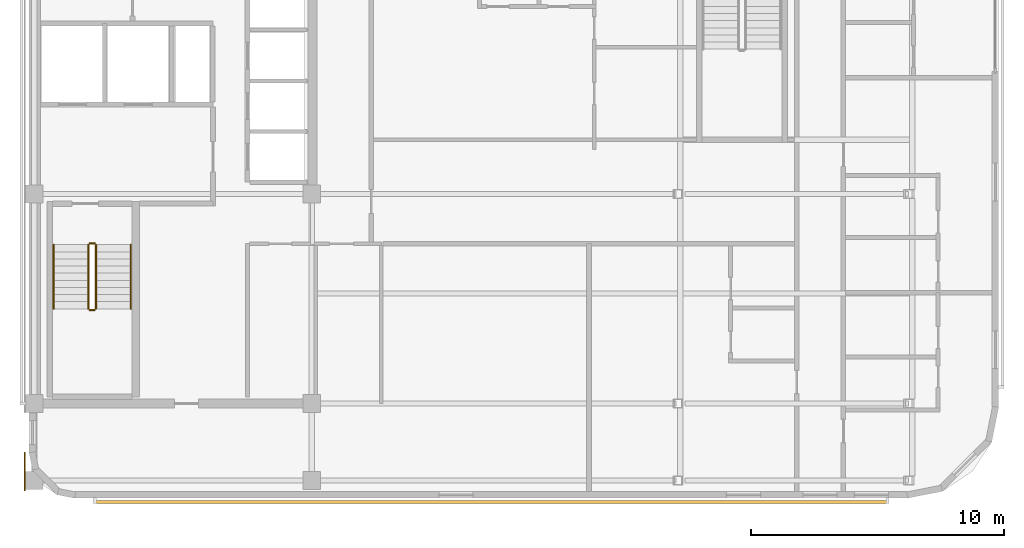
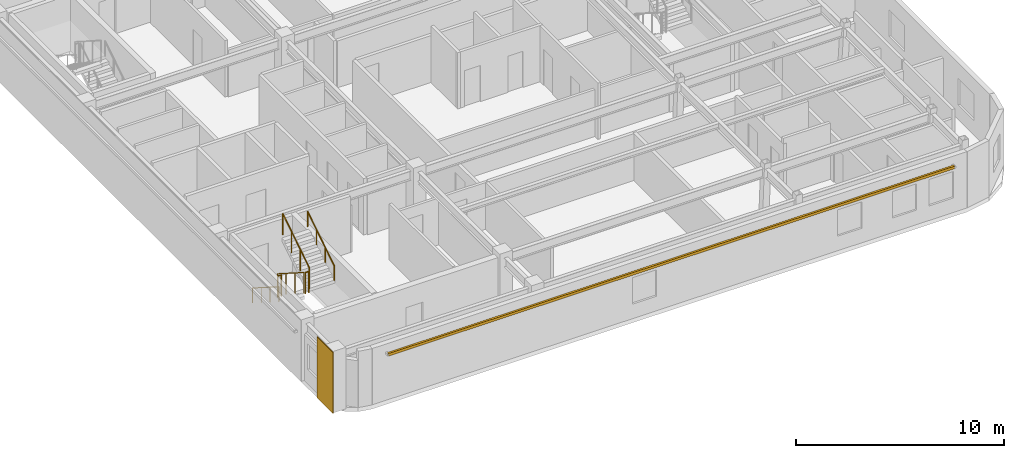
# One storey, part 8 of 11: 6 railings, 1 covering, 1 shading device.
"""IFC4 building model written with IfcOpenShell, lengths in metres."""

from ifc_helpers import new_model, si_unit, direction, frame, origin, origin_2d, place, context, subcontext, project, spatial, rectangle, circle, extrude, material, layer, layer_set, material_profile, profile_set, type_object, element, save


model = new_model("IFC4")

# Units and contexts
model_context = context("Model", 3, precision=1e-05, world=origin(), true_north=direction((0.0, 1.0)))
body_context = subcontext(model_context, "Body", "Model", "MODEL_VIEW")
ifc_project = project(units=[si_unit("LENGTHUNIT", "METRE"), si_unit("AREAUNIT", "SQUARE_METRE"), si_unit("VOLUMEUNIT", "CUBIC_METRE"), si_unit("PLANEANGLEUNIT", "RADIAN"), si_unit("MASSUNIT", "GRAM", prefix="KILO")], contexts=[model_context])

# Site, building, storey
site_placement = place(None, origin())
site = spatial("IfcSite", under=ifc_project, at=site_placement, CompositionType="ELEMENT")
building_placement = place(site_placement, origin())
building = spatial("IfcBuilding", under=site, at=building_placement, Name="Ochreholt Gables", CompositionType="ELEMENT")
storey_placement = place(building_placement, frame((0.0, 0.0, 278.39990234375)))
storey = spatial("IfcBuildingStorey", under=building, at=storey_placement, Name="L73", CompositionType="ELEMENT", Elevation=278.39990234375)

# Covering
ifc_material_1 = material(Name="Glazed Ochre Terracotta Rainscreen Cladding", Category="masonry")
ifc_layer = layer(ifc_material_1, 0.044921875, Name="Glazed Ochre Terracotta Rainscreen Cladding")
ifc_layer_set = layer_set([ifc_layer], Name="Glazed Ochre Terracotta Rainscreen Cladding")
covering_type = type_object("IfcCoveringType", Name="COV-CLAD-TC", PredefinedType="CLADDING", material=ifc_layer_set)
covering_placement = place(storey_placement, frame((23.827880859375, 6.56005859375, 0.010009765625), z_axis=(0.0, 0.0, 1.0), x_axis=(0.0, 1.0, 0.0)))
element("IfcCovering", 1, at=covering_placement, inside=storey, type_object=covering_type, Name="L73 South-West Pier Terracotta Cladding", PredefinedType="CLADDING", context=body_context, shape_type="SweptSolid", body=[
    extrude(rectangle(XDim=1.52001953125, YDim=0.044921875, at=origin_2d()), origin(), (0.0, 0.0, 1.0), 3.580078125),
])

# Railings
ifc_material_2 = material(Name="Painted Steel Stair Guardrail", Category="steel")
railing_type_1 = type_object("IfcRailingType", Name="RL-ST-GUARD", PredefinedType="GUARDRAIL", material=ifc_material_2)
railing_1_placement = place(storey_placement, frame((26.35009765625, 15.5400390625, 0.18017578125)))
element("IfcRailing", 2, at=railing_1_placement, inside=storey, type_object=railing_type_1, Name="L73 ST-1 stair guard 1", PredefinedType="GUARDRAIL", context=body_context, shape_type="SweptSolid", body=[
    extrude(circle(Radius=0.02392578125, at=origin_2d()), frame((0.0, 0.0, 1.22607421875), z_axis=(0.0, -0.842949592929, 0.537992549931), x_axis=(1.0, 0.0, 0.0)), (0.0, 0.0, 1.0), 3.010986328125),
    extrude(circle(Radius=0.02099609375, at=origin_2d()), origin(), (0.0, 0.0, 1.0), 1.201904296875),
    extrude(circle(Radius=0.02099609375, at=origin_2d()), frame((0.0, -0.845947265625, 0.5400390625)), (0.0, 0.0, 1.0), 1.201904296875),
    extrude(circle(Radius=0.02099609375, at=origin_2d()), frame((0.0, -1.692138671875, 1.079833984375)), (0.0, 0.0, 1.0), 1.201904296875),
    extrude(circle(Radius=0.02099609375, at=origin_2d()), frame((0.0, -2.5380859375, 1.619873046875)), (0.0, 0.0, 1.0), 1.201904296875),
])
railing_2_placement = place(storey_placement, frame((26.39990234375, 12.951904296875, 1.800048828125)))
element("IfcRailing", 3, at=railing_2_placement, inside=storey, type_object=railing_type_1, Name="L73 ST-1 stair guard 2", PredefinedType="GUARDRAIL", context=body_context, shape_type="SweptSolid", body=[
    extrude(circle(Radius=0.02392578125, at=origin_2d()), frame((0.0, 0.0, 1.22607421875), z_axis=(1.0, 0.0, 0.0), x_axis=(0.0, 1.0, 0.0)), (0.0, 0.0, 1.0), 0.2001953125),
    extrude(circle(Radius=0.02099609375, at=origin_2d()), origin(), (0.0, 0.0, 1.0), 1.201904296875),
    extrude(circle(Radius=0.02099609375, at=origin_2d()), frame((0.2001953125, 0.0, 0.0)), (0.0, 0.0, 1.0), 1.201904296875),
])
railing_3_placement = place(storey_placement, frame((26.64990234375, 13.001953125, 1.97998046875)))
element("IfcRailing", 4, at=railing_3_placement, inside=storey, type_object=railing_type_1, Name="L73 ST-1 stair guard 3", PredefinedType="GUARDRAIL", context=body_context, shape_type="SweptSolid", body=[
    extrude(circle(Radius=0.02392578125, at=origin_2d()), frame((0.0, 0.0, 1.22607421875), z_axis=(0.0, 0.842912820907, 0.538050161556), x_axis=(-1.0, 0.0, 0.0)), (0.0, 0.0, 1.0), 3.010986328125),
    extrude(circle(Radius=0.02099609375, at=origin_2d()), origin(), (0.0, 0.0, 1.0), 1.201904296875),
    extrude(circle(Radius=0.02099609375, at=origin_2d()), frame((0.0, 0.845947265625, 0.5400390625)), (0.0, 0.0, 1.0), 1.201904296875),
    extrude(circle(Radius=0.02099609375, at=origin_2d()), frame((0.0, 1.692138671875, 1.080078125)), (0.0, 0.0, 1.0), 1.201904296875),
    extrude(circle(Radius=0.02099609375, at=origin_2d()), frame((0.0, 2.5380859375, 1.6201171875)), (0.0, 0.0, 1.0), 1.201904296875),
])
railing_4_placement = place(storey_placement, frame((26.39990234375, 15.590087890625, 0.0)))
element("IfcRailing", 5, at=railing_4_placement, inside=storey, type_object=railing_type_1, Name="L73 ST-1 stair guard 4", PredefinedType="GUARDRAIL", context=body_context, shape_type="SweptSolid", body=[
    extrude(circle(Radius=0.02392578125, at=origin_2d()), frame((0.0, 0.0, 1.22607421875), z_axis=(1.0, 0.0, 0.0), x_axis=(0.0, 1.0, 0.0)), (0.0, 0.0, 1.0), 0.2001953125),
    extrude(circle(Radius=0.02099609375, at=origin_2d()), origin(), (0.0, 0.0, 1.0), 1.201904296875),
    extrude(circle(Radius=0.02099609375, at=origin_2d()), frame((0.2001953125, 0.0, 0.0)), (0.0, 0.0, 1.0), 1.201904296875),
])
ifc_material_3 = material(Name="Brushed Stainless Steel Wall Handrail", Category="steel")
railing_type_2 = type_object("IfcRailingType", Name="RL-ST-HAND", PredefinedType="HANDRAIL", material=ifc_material_3)
railing_5_placement = place(storey_placement, frame((24.969970703125, 15.5400390625, 0.18017578125)))
element("IfcRailing", 6, at=railing_5_placement, inside=storey, type_object=railing_type_2, Name="L73 ST-1 stair handrail 1", PredefinedType="HANDRAIL", context=body_context, shape_type="SweptSolid", body=[
    extrude(circle(Radius=0.02392578125, at=origin_2d()), frame((0.0, 0.0, 0.8759765625), z_axis=(0.0, -0.842949592929, 0.537992549931), x_axis=(1.0, 0.0, 0.0)), (0.0, 0.0, 1.0), 3.010986328125),
    extrude(circle(Radius=0.02099609375, at=origin_2d()), origin(), (0.0, 0.0, 1.0), 0.851806640625),
    extrude(circle(Radius=0.02099609375, at=origin_2d()), frame((0.0, -0.845947265625, 0.5400390625)), (0.0, 0.0, 1.0), 0.851806640625),
    extrude(circle(Radius=0.02099609375, at=origin_2d()), frame((0.0, -1.692138671875, 1.079833984375)), (0.0, 0.0, 1.0), 0.851806640625),
    extrude(circle(Radius=0.02099609375, at=origin_2d()), frame((0.0, -2.5380859375, 1.619873046875)), (0.0, 0.0, 1.0), 0.851806640625),
])
railing_6_placement = place(storey_placement, frame((28.030029296875, 13.001953125, 1.97998046875)))
element("IfcRailing", 7, at=railing_6_placement, inside=storey, type_object=railing_type_2, Name="L73 ST-1 stair handrail 2", PredefinedType="HANDRAIL", context=body_context, shape_type="SweptSolid", body=[
    extrude(circle(Radius=0.02392578125, at=origin_2d()), frame((0.0, 0.0, 0.8759765625), z_axis=(0.0, 0.842912820907, 0.538050161556), x_axis=(-1.0, 0.0, 0.0)), (0.0, 0.0, 1.0), 3.010986328125),
    extrude(circle(Radius=0.02099609375, at=origin_2d()), origin(), (0.0, 0.0, 1.0), 0.851806640625),
    extrude(circle(Radius=0.02099609375, at=origin_2d()), frame((0.0, 0.845947265625, 0.5400390625)), (0.0, 0.0, 1.0), 0.851806640625),
    extrude(circle(Radius=0.02099609375, at=origin_2d()), frame((0.0, 1.692138671875, 1.080078125)), (0.0, 0.0, 1.0), 0.851806640625),
    extrude(circle(Radius=0.02099609375, at=origin_2d()), frame((0.0, 2.5380859375, 1.6201171875)), (0.0, 0.0, 1.0), 0.851806640625),
])

# Shading device
ifc_material_4 = material(Name="Warm Ochre Glazed Terracotta Baguette", Category="masonry")
ifc_material_profile = material_profile(ifc_material_4, rectangle(XDim=0.110107421875, YDim=0.14990234375, at=origin_2d()), Name="TCBAG110X150")
ifc_profile_set = profile_set([ifc_material_profile], Name="Warm Ochre Glazed Terracotta Baguette")
shading_device_type = type_object("IfcShadingDeviceType", Name="SHD-BAGUETTE", PredefinedType="USERDEFINED", material=ifc_profile_set)
shading_device_placement = place(storey_placement, frame((26.60009765625, 5.35009765625, 2.780029296875), z_axis=(1.0, 0.0, 0.0), x_axis=(0.0, 1.0, 0.0)))
element("IfcShadingDevice", 8, at=shading_device_placement, inside=storey, type_object=shading_device_type, Name="L73 Terracotta Baguette Screen S-1", ObjectType="BAGUETTE", PredefinedType="USERDEFINED", context=body_context, shape_type="SweptSolid", body=[
    extrude(rectangle(XDim=0.110107421875, YDim=0.14990234375, at=origin_2d()), origin(), (0.0, 0.0, 1.0), 31.39990234375),
])

save(model, "model.ifc")
